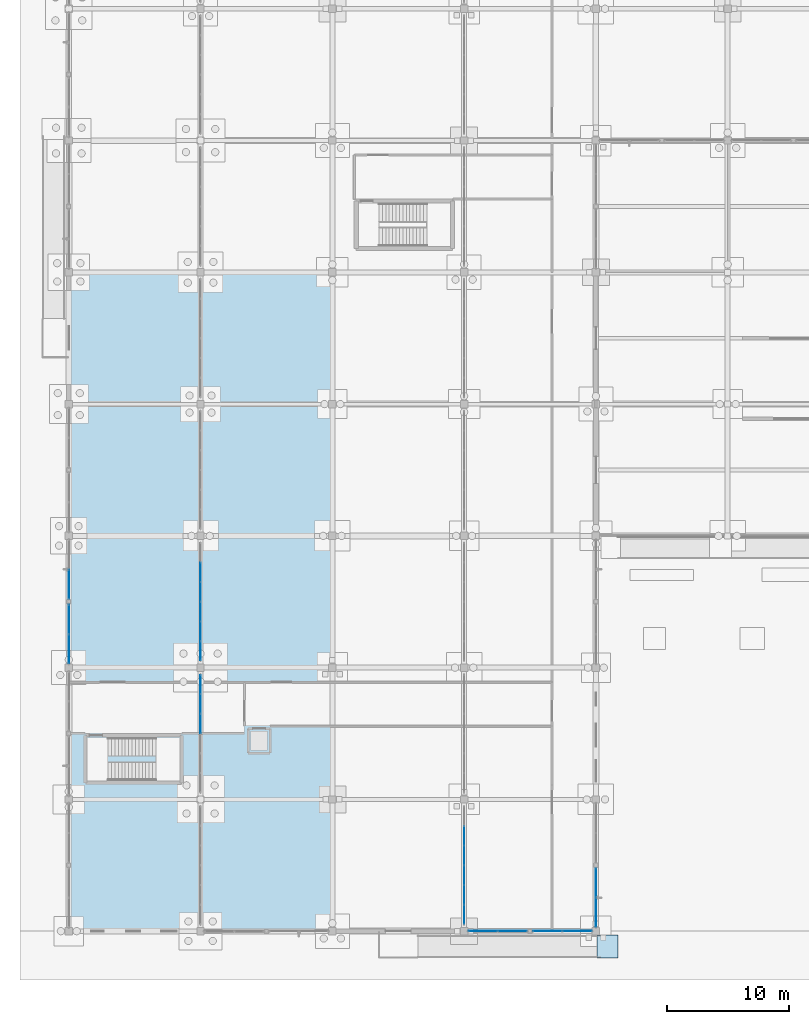
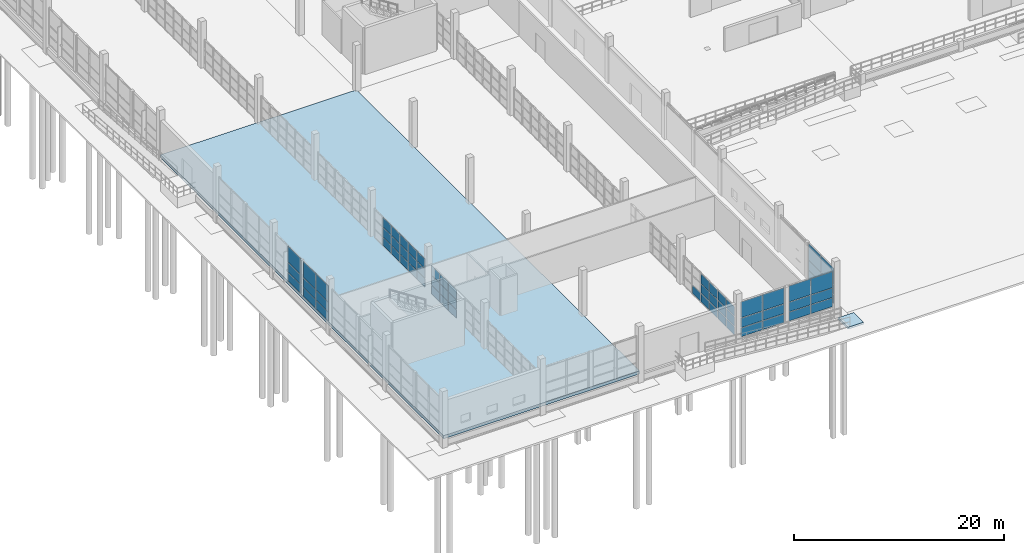
# One storey, part 80 of 138: 64 plates, 2 slabs, 8 elements without a shape of their own.
"""IFC4 building model written with IfcOpenShell, lengths in metres."""

from ifc_helpers import new_model, si_unit, direction, frame, origin, origin_2d, place, context, subcontext, project, spatial, polyline, rectangle, outline, extrude, material, layer, layer_set, type_object, element, aggregate, save


model = new_model("IFC4")

# Units and contexts
model_context = context("Model", 3, precision=1e-05, world=origin(), true_north=direction((0.0, 1.0)))
body_context = subcontext(model_context, "Body", "Model", "MODEL_VIEW")
ifc_project = project(units=[si_unit("LENGTHUNIT", "METRE"), si_unit("AREAUNIT", "SQUARE_METRE"), si_unit("VOLUMEUNIT", "CUBIC_METRE"), si_unit("PLANEANGLEUNIT", "RADIAN"), si_unit("MASSUNIT", "GRAM", prefix="KILO")], contexts=[model_context])

# Site, building, storey
site_placement = place(None, origin())
site = spatial("IfcSite", under=ifc_project, at=site_placement, CompositionType="ELEMENT")
building_placement = place(site_placement, origin())
building = spatial("IfcBuilding", under=site, at=building_placement, Name="Zwinboog Wholesale Market", CompositionType="ELEMENT")
storey_placement = place(building_placement, origin())
storey = spatial("IfcBuildingStorey", under=building, at=storey_placement, Name="L00", CompositionType="ELEMENT", Elevation=0.0)

# Slab
ifc_material_1 = material(Name="Precast concrete C45/55", Category="concrete")
ifc_layer_1 = layer(ifc_material_1, 0.35595703125)
ifc_layer_set_1 = layer_set([ifc_layer_1], Name="Precast concrete C45/55")
slab_type_1 = type_object("IfcSlabType", Name="SLT-BS-320", PredefinedType="BASESLAB", material=ifc_layer_set_1)
slab_1_placement = place(storey_placement, frame((0.0, 0.0, -0.35595703125)))
element("IfcSlab", 1, at=slab_1_placement, inside=storey, type_object=slab_type_1, Name="SB-356 (SLB-L00-001)", PredefinedType="BASESLAB", context=body_context, shape_type="SweptSolid", body=[
    extrude(outline(polyline([(0.0, 0.0), (21.60009765625, 0.0), (21.60009765625, 54.0), (0.0, 54.0), (0.0, 0.0)])), origin(), (0.0, 0.0, 1.0), 0.35595703125),
])

# Curtain wall, plates
ifc_material_2 = material(Name="Aluminium thermally broken curtain wall", Category="aluminium")
curtain_wall_type_1 = type_object("IfcCurtainWallType", Name="CWT-CAFE-22", PredefinedType="USERDEFINED", material=ifc_material_2)
curtain_wall_1_placement = place(storey_placement, origin())
curtain_wall_1 = element("IfcCurtainWall", 2, at=curtain_wall_1_placement, inside=storey, type_object=curtain_wall_type_1, Name="CW-05 (CW-L00-005)", ObjectType="STOREFRONT_GLAZING", PredefinedType="USERDEFINED")
ifc_material_3 = material(Name="Double low-e insulated glazing", Category="glass")
ifc_layer_2 = layer(ifc_material_3, 0.031982421875)
ifc_layer_set_2 = layer_set([ifc_layer_2], Name="Double low-e insulated glazing")
plate_type_1 = type_object("IfcPlateType", Name="CWP-IGU-32", PredefinedType="CURTAIN_PANEL", material=ifc_layer_set_2)
plate_1_placement = place(storey_placement, frame((0.0, 23.137451171875, 0.06494140625), z_axis=(0.0, 0.0, 1.0), x_axis=(0.0, 1.0, 0.0)))
plate_1 = element("IfcPlate", 3, at=plate_1_placement, type_object=plate_type_1, Name="CW-05 panel 1.1", PredefinedType="CURTAIN_PANEL", context=body_context, shape_type="SweptSolid", body=[
    extrude(rectangle(XDim=2.35498046875, YDim=0.031982421875, at=origin_2d()), origin(), (0.0, 0.0, 1.0), 1.00244140625),
])
plate_2_placement = place(storey_placement, frame((0.0, 23.137451171875, 1.132568359375), z_axis=(0.0, 0.0, 1.0), x_axis=(0.0, 1.0, 0.0)))
plate_2 = element("IfcPlate", 4, at=plate_2_placement, type_object=plate_type_1, Name="CW-05 panel 1.2", PredefinedType="CURTAIN_PANEL", context=body_context, shape_type="SweptSolid", body=[
    extrude(rectangle(XDim=2.35498046875, YDim=0.031982421875, at=origin_2d()), origin(), (0.0, 0.0, 1.0), 1.0849609375),
])
plate_3_placement = place(storey_placement, frame((0.0, 23.137451171875, 2.282470703125), z_axis=(0.0, 0.0, 1.0), x_axis=(0.0, 1.0, 0.0)))
plate_3 = element("IfcPlate", 5, at=plate_3_placement, type_object=plate_type_1, Name="CW-05 panel 1.3", PredefinedType="CURTAIN_PANEL", context=body_context, shape_type="SweptSolid", body=[
    extrude(rectangle(XDim=2.35498046875, YDim=0.031982421875, at=origin_2d()), origin(), (0.0, 0.0, 1.0), 1.8505859375),
])
plate_4_placement = place(storey_placement, frame((0.0, 25.5576171875, 0.06494140625), z_axis=(0.0, 0.0, 1.0), x_axis=(0.0, 1.0, 0.0)))
plate_4 = element("IfcPlate", 6, at=plate_4_placement, type_object=plate_type_1, Name="CW-05 panel 2.1", PredefinedType="CURTAIN_PANEL", context=body_context, shape_type="SweptSolid", body=[
    extrude(rectangle(XDim=2.35498046875, YDim=0.031982421875, at=origin_2d()), origin(), (0.0, 0.0, 1.0), 1.00244140625),
])
plate_5_placement = place(storey_placement, frame((0.0, 25.5576171875, 1.132568359375), z_axis=(0.0, 0.0, 1.0), x_axis=(0.0, 1.0, 0.0)))
plate_5 = element("IfcPlate", 7, at=plate_5_placement, type_object=plate_type_1, Name="CW-05 panel 2.2", PredefinedType="CURTAIN_PANEL", context=body_context, shape_type="SweptSolid", body=[
    extrude(rectangle(XDim=2.35498046875, YDim=0.031982421875, at=origin_2d()), origin(), (0.0, 0.0, 1.0), 1.0849609375),
])
plate_6_placement = place(storey_placement, frame((0.0, 25.5576171875, 2.282470703125), z_axis=(0.0, 0.0, 1.0), x_axis=(0.0, 1.0, 0.0)))
plate_6 = element("IfcPlate", 8, at=plate_6_placement, type_object=plate_type_1, Name="CW-05 panel 2.3", PredefinedType="CURTAIN_PANEL", context=body_context, shape_type="SweptSolid", body=[
    extrude(rectangle(XDim=2.35498046875, YDim=0.031982421875, at=origin_2d()), origin(), (0.0, 0.0, 1.0), 1.8505859375),
])
aggregate(curtain_wall_1, [plate_1, plate_2, plate_3, plate_4, plate_5, plate_6])

curtain_wall_type_2 = type_object("IfcCurtainWallType", Name="CWT-OFF-15", PredefinedType="USERDEFINED", material=ifc_material_2)
curtain_wall_2_placement = place(storey_placement, origin())
curtain_wall_2 = element("IfcCurtainWall", 9, at=curtain_wall_2_placement, inside=storey, type_object=curtain_wall_type_2, Name="CW-06 (CW-L00-006)", ObjectType="UNITIZED_CURTAIN_WALL", PredefinedType="USERDEFINED")
plate_7_placement = place(storey_placement, frame((0.0, 28.441162109375, 0.06005859375), z_axis=(0.0, 0.0, 1.0), x_axis=(0.0, 1.0, 0.0)))
plate_7 = element("IfcPlate", 10, at=plate_7_placement, type_object=plate_type_1, Name="CW-06 panel 1.1", PredefinedType="CURTAIN_PANEL", context=body_context, shape_type="SweptSolid", body=[
    extrude(rectangle(XDim=2.362548828125, YDim=0.031982421875, at=origin_2d()), origin(), (0.0, 0.0, 1.0), 1.010009765625),
])
plate_8_placement = place(storey_placement, frame((0.0, 28.441162109375, 1.1298828125), z_axis=(0.0, 0.0, 1.0), x_axis=(0.0, 1.0, 0.0)))
plate_8 = element("IfcPlate", 11, at=plate_8_placement, type_object=plate_type_1, Name="CW-06 panel 1.2", PredefinedType="CURTAIN_PANEL", context=body_context, shape_type="SweptSolid", body=[
    extrude(rectangle(XDim=2.362548828125, YDim=0.031982421875, at=origin_2d()), origin(), (0.0, 0.0, 1.0), 1.090087890625),
])
plate_9_placement = place(storey_placement, frame((0.0, 28.441162109375, 2.280029296875), z_axis=(0.0, 0.0, 1.0), x_axis=(0.0, 1.0, 0.0)))
plate_9 = element("IfcPlate", 12, at=plate_9_placement, type_object=plate_type_1, Name="CW-06 panel 1.3", PredefinedType="CURTAIN_PANEL", context=body_context, shape_type="SweptSolid", body=[
    extrude(rectangle(XDim=2.362548828125, YDim=0.031982421875, at=origin_2d()), origin(), (0.0, 0.0, 1.0), 1.85791015625),
])
aggregate(curtain_wall_2, [plate_7, plate_8, plate_9])

curtain_wall_type_3 = type_object("IfcCurtainWallType", Name="CWT-STALL-18", PredefinedType="USERDEFINED", material=ifc_material_2)
curtain_wall_3_placement = place(storey_placement, origin())
curtain_wall_3 = element("IfcCurtainWall", 13, at=curtain_wall_3_placement, inside=storey, type_object=curtain_wall_type_3, Name="CW-01 (CW-L00-019)", ObjectType="STOREFRONT_GLAZING", PredefinedType="USERDEFINED")
plate_10_placement = place(storey_placement, frame((33.9375, 0.0, 0.06494140625), z_axis=(0.0, 0.0, 1.0), x_axis=(1.0, 0.0, 0.0)))
plate_10 = element("IfcPlate", 14, at=plate_10_placement, type_object=plate_type_1, Name="CW-01 panel 1.1", PredefinedType="CURTAIN_PANEL", context=body_context, shape_type="SweptSolid", body=[
    extrude(rectangle(XDim=2.35498046875, YDim=0.031982421875, at=origin_2d()), origin(), (0.0, 0.0, 1.0), 1.00244140625),
])
plate_11_placement = place(storey_placement, frame((33.9375, 0.0, 1.132568359375), z_axis=(0.0, 0.0, 1.0), x_axis=(1.0, 0.0, 0.0)))
plate_11 = element("IfcPlate", 15, at=plate_11_placement, type_object=plate_type_1, Name="CW-01 panel 1.2", PredefinedType="CURTAIN_PANEL", context=body_context, shape_type="SweptSolid", body=[
    extrude(rectangle(XDim=2.35498046875, YDim=0.031982421875, at=origin_2d()), origin(), (0.0, 0.0, 1.0), 1.0849609375),
])
plate_12_placement = place(storey_placement, frame((33.9375, 0.0, 2.282470703125), z_axis=(0.0, 0.0, 1.0), x_axis=(1.0, 0.0, 0.0)))
plate_12 = element("IfcPlate", 16, at=plate_12_placement, type_object=plate_type_1, Name="CW-01 panel 1.3", PredefinedType="CURTAIN_PANEL", context=body_context, shape_type="SweptSolid", body=[
    extrude(rectangle(XDim=2.35498046875, YDim=0.031982421875, at=origin_2d()), origin(), (0.0, 0.0, 1.0), 1.8505859375),
])
plate_13_placement = place(storey_placement, frame((36.357421875, 0.0, 0.06494140625), z_axis=(0.0, 0.0, 1.0), x_axis=(1.0, 0.0, 0.0)))
plate_13 = element("IfcPlate", 17, at=plate_13_placement, type_object=plate_type_1, Name="CW-01 panel 2.1", PredefinedType="CURTAIN_PANEL", context=body_context, shape_type="SweptSolid", body=[
    extrude(rectangle(XDim=2.35498046875, YDim=0.031982421875, at=origin_2d()), origin(), (0.0, 0.0, 1.0), 1.00244140625),
])
plate_14_placement = place(storey_placement, frame((36.357421875, 0.0, 1.132568359375), z_axis=(0.0, 0.0, 1.0), x_axis=(1.0, 0.0, 0.0)))
plate_14 = element("IfcPlate", 18, at=plate_14_placement, type_object=plate_type_1, Name="CW-01 panel 2.2", PredefinedType="CURTAIN_PANEL", context=body_context, shape_type="SweptSolid", body=[
    extrude(rectangle(XDim=2.35498046875, YDim=0.031982421875, at=origin_2d()), origin(), (0.0, 0.0, 1.0), 1.0849609375),
])
plate_15_placement = place(storey_placement, frame((36.357421875, 0.0, 2.282470703125), z_axis=(0.0, 0.0, 1.0), x_axis=(1.0, 0.0, 0.0)))
plate_15 = element("IfcPlate", 19, at=plate_15_placement, type_object=plate_type_1, Name="CW-01 panel 2.3", PredefinedType="CURTAIN_PANEL", context=body_context, shape_type="SweptSolid", body=[
    extrude(rectangle(XDim=2.35498046875, YDim=0.031982421875, at=origin_2d()), origin(), (0.0, 0.0, 1.0), 1.8505859375),
])
aggregate(curtain_wall_3, [plate_10, plate_11, plate_12, plate_13, plate_14, plate_15])

curtain_wall_type_4 = type_object("IfcCurtainWallType", Name="CWT-STALL-20", PredefinedType="USERDEFINED", material=ifc_material_2)
curtain_wall_4_placement = place(storey_placement, origin())
curtain_wall_4 = element("IfcCurtainWall", 20, at=curtain_wall_4_placement, inside=storey, type_object=curtain_wall_type_4, Name="CW-02 (CW-L00-020)", ObjectType="STOREFRONT_GLAZING", PredefinedType="USERDEFINED")
plate_16_placement = place(storey_placement, frame((39.2412109375, 0.0, 0.06005859375), z_axis=(0.0, 0.0, 1.0), x_axis=(1.0, 0.0, 0.0)))
plate_16 = element("IfcPlate", 21, at=plate_16_placement, type_object=plate_type_1, Name="CW-02 panel 1.1", PredefinedType="CURTAIN_PANEL", context=body_context, shape_type="SweptSolid", body=[
    extrude(rectangle(XDim=2.362548828125, YDim=0.031982421875, at=origin_2d()), origin(), (0.0, 0.0, 1.0), 1.010009765625),
])
plate_17_placement = place(storey_placement, frame((39.2412109375, 0.0, 1.1298828125), z_axis=(0.0, 0.0, 1.0), x_axis=(1.0, 0.0, 0.0)))
plate_17 = element("IfcPlate", 22, at=plate_17_placement, type_object=plate_type_1, Name="CW-02 panel 1.2", PredefinedType="CURTAIN_PANEL", context=body_context, shape_type="SweptSolid", body=[
    extrude(rectangle(XDim=2.362548828125, YDim=0.031982421875, at=origin_2d()), origin(), (0.0, 0.0, 1.0), 1.090087890625),
])
plate_18_placement = place(storey_placement, frame((39.2412109375, 0.0, 2.280029296875), z_axis=(0.0, 0.0, 1.0), x_axis=(1.0, 0.0, 0.0)))
plate_18 = element("IfcPlate", 23, at=plate_18_placement, type_object=plate_type_1, Name="CW-02 panel 1.3", PredefinedType="CURTAIN_PANEL", context=body_context, shape_type="SweptSolid", body=[
    extrude(rectangle(XDim=2.362548828125, YDim=0.031982421875, at=origin_2d()), origin(), (0.0, 0.0, 1.0), 1.85791015625),
])
plate_19_placement = place(storey_placement, frame((41.663818359375, 0.0, 0.06005859375), z_axis=(0.0, 0.0, 1.0), x_axis=(1.0, 0.0, 0.0)))
plate_19 = element("IfcPlate", 24, at=plate_19_placement, type_object=plate_type_1, Name="CW-02 panel 2.1", PredefinedType="CURTAIN_PANEL", context=body_context, shape_type="SweptSolid", body=[
    extrude(rectangle(XDim=2.362548828125, YDim=0.031982421875, at=origin_2d()), origin(), (0.0, 0.0, 1.0), 1.010009765625),
])
plate_20_placement = place(storey_placement, frame((41.663818359375, 0.0, 1.1298828125), z_axis=(0.0, 0.0, 1.0), x_axis=(1.0, 0.0, 0.0)))
plate_20 = element("IfcPlate", 25, at=plate_20_placement, type_object=plate_type_1, Name="CW-02 panel 2.2", PredefinedType="CURTAIN_PANEL", context=body_context, shape_type="SweptSolid", body=[
    extrude(rectangle(XDim=2.362548828125, YDim=0.031982421875, at=origin_2d()), origin(), (0.0, 0.0, 1.0), 1.090087890625),
])
plate_21_placement = place(storey_placement, frame((41.663818359375, 0.0, 2.280029296875), z_axis=(0.0, 0.0, 1.0), x_axis=(1.0, 0.0, 0.0)))
plate_21 = element("IfcPlate", 26, at=plate_21_placement, type_object=plate_type_1, Name="CW-02 panel 2.3", PredefinedType="CURTAIN_PANEL", context=body_context, shape_type="SweptSolid", body=[
    extrude(rectangle(XDim=2.362548828125, YDim=0.031982421875, at=origin_2d()), origin(), (0.0, 0.0, 1.0), 1.85791015625),
])
aggregate(curtain_wall_4, [plate_16, plate_17, plate_18, plate_19, plate_20, plate_21])

curtain_wall_type_5 = type_object("IfcCurtainWallType", Name="CWT-HALL-24", PredefinedType="USERDEFINED", material=ifc_material_2)
curtain_wall_5_placement = place(storey_placement, origin())
curtain_wall_5 = element("IfcCurtainWall", 27, at=curtain_wall_5_placement, inside=storey, type_object=curtain_wall_type_5, Name="CW-03 (CW-L00-021)", ObjectType="UNITIZED_CURTAIN_WALL", PredefinedType="USERDEFINED")
plate_22_placement = place(storey_placement, frame((43.199951171875, 1.53759765625, 0.06494140625), z_axis=(0.0, 0.0, 1.0), x_axis=(0.0, 1.0, 0.0)))
plate_22 = element("IfcPlate", 28, at=plate_22_placement, type_object=plate_type_1, Name="CW-03 panel 1.1", PredefinedType="CURTAIN_PANEL", context=body_context, shape_type="SweptSolid", body=[
    extrude(rectangle(XDim=2.35498046875, YDim=0.031982421875, at=origin_2d()), origin(), (0.0, 0.0, 1.0), 1.00244140625),
])
plate_23_placement = place(storey_placement, frame((43.199951171875, 1.53759765625, 1.132568359375), z_axis=(0.0, 0.0, 1.0), x_axis=(0.0, 1.0, 0.0)))
plate_23 = element("IfcPlate", 29, at=plate_23_placement, type_object=plate_type_1, Name="CW-03 panel 1.2", PredefinedType="CURTAIN_PANEL", context=body_context, shape_type="SweptSolid", body=[
    extrude(rectangle(XDim=2.35498046875, YDim=0.031982421875, at=origin_2d()), origin(), (0.0, 0.0, 1.0), 1.0849609375),
])
plate_24_placement = place(storey_placement, frame((43.199951171875, 1.53759765625, 2.2822265625), z_axis=(0.0, 0.0, 1.0), x_axis=(0.0, 1.0, 0.0)))
plate_24 = element("IfcPlate", 30, at=plate_24_placement, type_object=plate_type_1, Name="CW-03 panel 1.3", PredefinedType="CURTAIN_PANEL", context=body_context, shape_type="SweptSolid", body=[
    extrude(rectangle(XDim=2.35498046875, YDim=0.031982421875, at=origin_2d()), origin(), (0.0, 0.0, 1.0), 1.902587890625),
])
plate_25_placement = place(storey_placement, frame((43.199951171875, 3.95751953125, 0.06494140625), z_axis=(0.0, 0.0, 1.0), x_axis=(0.0, 1.0, 0.0)))
plate_25 = element("IfcPlate", 31, at=plate_25_placement, type_object=plate_type_1, Name="CW-03 panel 2.1", PredefinedType="CURTAIN_PANEL", context=body_context, shape_type="SweptSolid", body=[
    extrude(rectangle(XDim=2.35498046875, YDim=0.031982421875, at=origin_2d()), origin(), (0.0, 0.0, 1.0), 1.00244140625),
])
plate_26_placement = place(storey_placement, frame((43.199951171875, 3.95751953125, 1.132568359375), z_axis=(0.0, 0.0, 1.0), x_axis=(0.0, 1.0, 0.0)))
plate_26 = element("IfcPlate", 32, at=plate_26_placement, type_object=plate_type_1, Name="CW-03 panel 2.2", PredefinedType="CURTAIN_PANEL", context=body_context, shape_type="SweptSolid", body=[
    extrude(rectangle(XDim=2.35498046875, YDim=0.031982421875, at=origin_2d()), origin(), (0.0, 0.0, 1.0), 1.0849609375),
])
plate_27_placement = place(storey_placement, frame((43.199951171875, 3.95751953125, 2.2822265625), z_axis=(0.0, 0.0, 1.0), x_axis=(0.0, 1.0, 0.0)))
plate_27 = element("IfcPlate", 33, at=plate_27_placement, type_object=plate_type_1, Name="CW-03 panel 2.3", PredefinedType="CURTAIN_PANEL", context=body_context, shape_type="SweptSolid", body=[
    extrude(rectangle(XDim=2.35498046875, YDim=0.031982421875, at=origin_2d()), origin(), (0.0, 0.0, 1.0), 1.902587890625),
])
aggregate(curtain_wall_5, [plate_22, plate_23, plate_24, plate_25, plate_26, plate_27])

curtain_wall_type_6 = type_object("IfcCurtainWallType", Name="CWT-INT-STALL", PredefinedType="USERDEFINED", material=ifc_material_2)
curtain_wall_6_placement = place(storey_placement, origin())
curtain_wall_6 = element("IfcCurtainWall", 34, at=curtain_wall_6_placement, inside=storey, type_object=curtain_wall_type_6, Name="CW-07 (CW-STL-210)", ObjectType="STOREFRONT_GLAZING", PredefinedType="USERDEFINED")
ifc_material_4 = material(Name="Tempered laminated market stall glazing", Category="glass")
ifc_layer_3 = layer(ifc_material_4, 0.01611328125)
ifc_layer_set_3 = layer_set([ifc_layer_3], Name="Tempered laminated market stall glazing")
plate_type_2 = type_object("IfcPlateType", Name="CWP-INT-16", PredefinedType="CURTAIN_PANEL", material=ifc_layer_set_3)
plate_28_placement = place(storey_placement, frame((10.800048828125, 17.00830078125, 0.06005859375), z_axis=(0.0, 0.0, 1.0), x_axis=(0.0, 1.0, 0.0)))
plate_28 = element("IfcPlate", 35, at=plate_28_placement, type_object=plate_type_2, Name="CW-07 panel 4.1", PredefinedType="CURTAIN_PANEL", context=body_context, shape_type="SweptSolid", body=[
    extrude(rectangle(XDim=1.556640625, YDim=0.01611328125, at=origin_2d()), origin(), (0.0, 0.0, 1.0), 0.9599609375),
])
plate_29_placement = place(storey_placement, frame((10.800048828125, 17.00830078125, 1.080078125), z_axis=(0.0, 0.0, 1.0), x_axis=(0.0, 1.0, 0.0)))
plate_29 = element("IfcPlate", 36, at=plate_29_placement, type_object=plate_type_2, Name="CW-07 panel 4.2", PredefinedType="CURTAIN_PANEL", context=body_context, shape_type="SweptSolid", body=[
    extrude(rectangle(XDim=1.556640625, YDim=0.01611328125, at=origin_2d()), origin(), (0.0, 0.0, 1.0), 1.090087890625),
])
plate_30_placement = place(storey_placement, frame((10.800048828125, 17.00830078125, 2.22998046875), z_axis=(0.0, 0.0, 1.0), x_axis=(0.0, 1.0, 0.0)))
plate_30 = element("IfcPlate", 37, at=plate_30_placement, type_object=plate_type_2, Name="CW-07 panel 4.3", PredefinedType="CURTAIN_PANEL", context=body_context, shape_type="SweptSolid", body=[
    extrude(rectangle(XDim=1.556640625, YDim=0.01611328125, at=origin_2d()), origin(), (0.0, 0.0, 1.0), 1.110107421875),
])
plate_31_placement = place(storey_placement, frame((10.800048828125, 18.625, 0.06005859375), z_axis=(0.0, 0.0, 1.0), x_axis=(0.0, 1.0, 0.0)))
plate_31 = element("IfcPlate", 38, at=plate_31_placement, type_object=plate_type_2, Name="CW-07 panel 5.1", PredefinedType="CURTAIN_PANEL", context=body_context, shape_type="SweptSolid", body=[
    extrude(rectangle(XDim=1.556640625, YDim=0.01611328125, at=origin_2d()), origin(), (0.0, 0.0, 1.0), 0.9599609375),
])
plate_32_placement = place(storey_placement, frame((10.800048828125, 18.625, 1.080078125), z_axis=(0.0, 0.0, 1.0), x_axis=(0.0, 1.0, 0.0)))
plate_32 = element("IfcPlate", 39, at=plate_32_placement, type_object=plate_type_2, Name="CW-07 panel 5.2", PredefinedType="CURTAIN_PANEL", context=body_context, shape_type="SweptSolid", body=[
    extrude(rectangle(XDim=1.556640625, YDim=0.01611328125, at=origin_2d()), origin(), (0.0, 0.0, 1.0), 1.090087890625),
])
plate_33_placement = place(storey_placement, frame((10.800048828125, 18.625, 2.22998046875), z_axis=(0.0, 0.0, 1.0), x_axis=(0.0, 1.0, 0.0)))
plate_33 = element("IfcPlate", 40, at=plate_33_placement, type_object=plate_type_2, Name="CW-07 panel 5.3", PredefinedType="CURTAIN_PANEL", context=body_context, shape_type="SweptSolid", body=[
    extrude(rectangle(XDim=1.556640625, YDim=0.01611328125, at=origin_2d()), origin(), (0.0, 0.0, 1.0), 1.110107421875),
])
plate_34_placement = place(storey_placement, frame((10.800048828125, 20.2265625, 0.06005859375), z_axis=(0.0, 0.0, 1.0), x_axis=(0.0, 1.0, 0.0)))
plate_34 = element("IfcPlate", 41, at=plate_34_placement, type_object=plate_type_2, Name="CW-07 panel 6.1", PredefinedType="CURTAIN_PANEL", context=body_context, shape_type="SweptSolid", body=[
    extrude(rectangle(XDim=1.526611328125, YDim=0.01611328125, at=origin_2d()), origin(), (0.0, 0.0, 1.0), 0.9599609375),
])
plate_35_placement = place(storey_placement, frame((10.800048828125, 20.2265625, 1.080078125), z_axis=(0.0, 0.0, 1.0), x_axis=(0.0, 1.0, 0.0)))
plate_35 = element("IfcPlate", 42, at=plate_35_placement, type_object=plate_type_2, Name="CW-07 panel 6.2", PredefinedType="CURTAIN_PANEL", context=body_context, shape_type="SweptSolid", body=[
    extrude(rectangle(XDim=1.526611328125, YDim=0.01611328125, at=origin_2d()), origin(), (0.0, 0.0, 1.0), 1.090087890625),
])
plate_36_placement = place(storey_placement, frame((10.800048828125, 20.2265625, 2.22998046875), z_axis=(0.0, 0.0, 1.0), x_axis=(0.0, 1.0, 0.0)))
plate_36 = element("IfcPlate", 43, at=plate_36_placement, type_object=plate_type_2, Name="CW-07 panel 6.3", PredefinedType="CURTAIN_PANEL", context=body_context, shape_type="SweptSolid", body=[
    extrude(rectangle(XDim=1.526611328125, YDim=0.01611328125, at=origin_2d()), origin(), (0.0, 0.0, 1.0), 1.110107421875),
])
aggregate(curtain_wall_6, [plate_28, plate_29, plate_30, plate_31, plate_32, plate_33, plate_34, plate_35, plate_36])

curtain_wall_7_placement = place(storey_placement, origin())
curtain_wall_7 = element("IfcCurtainWall", 44, at=curtain_wall_7_placement, inside=storey, type_object=curtain_wall_type_6, Name="CW-07 (CW-STL-211)", ObjectType="STOREFRONT_GLAZING", PredefinedType="USERDEFINED")
plate_37_placement = place(storey_placement, frame((10.800048828125, 22.973388671875, 0.06005859375), z_axis=(0.0, 0.0, 1.0), x_axis=(0.0, 1.0, 0.0)))
plate_37 = element("IfcPlate", 45, at=plate_37_placement, type_object=plate_type_2, Name="CW-07 panel 1.1", PredefinedType="CURTAIN_PANEL", context=body_context, shape_type="SweptSolid", body=[
    extrude(rectangle(XDim=1.526611328125, YDim=0.01611328125, at=origin_2d()), origin(), (0.0, 0.0, 1.0), 0.9599609375),
])
plate_38_placement = place(storey_placement, frame((10.800048828125, 22.973388671875, 1.080078125), z_axis=(0.0, 0.0, 1.0), x_axis=(0.0, 1.0, 0.0)))
plate_38 = element("IfcPlate", 46, at=plate_38_placement, type_object=plate_type_2, Name="CW-07 panel 1.2", PredefinedType="CURTAIN_PANEL", context=body_context, shape_type="SweptSolid", body=[
    extrude(rectangle(XDim=1.526611328125, YDim=0.01611328125, at=origin_2d()), origin(), (0.0, 0.0, 1.0), 1.090087890625),
])
plate_39_placement = place(storey_placement, frame((10.800048828125, 22.973388671875, 2.22998046875), z_axis=(0.0, 0.0, 1.0), x_axis=(0.0, 1.0, 0.0)))
plate_39 = element("IfcPlate", 47, at=plate_39_placement, type_object=plate_type_2, Name="CW-07 panel 1.3", PredefinedType="CURTAIN_PANEL", context=body_context, shape_type="SweptSolid", body=[
    extrude(rectangle(XDim=1.526611328125, YDim=0.01611328125, at=origin_2d()), origin(), (0.0, 0.0, 1.0), 1.110107421875),
])
plate_40_placement = place(storey_placement, frame((10.800048828125, 24.574951171875, 0.06005859375), z_axis=(0.0, 0.0, 1.0), x_axis=(0.0, 1.0, 0.0)))
plate_40 = element("IfcPlate", 48, at=plate_40_placement, type_object=plate_type_2, Name="CW-07 panel 2.1", PredefinedType="CURTAIN_PANEL", context=body_context, shape_type="SweptSolid", body=[
    extrude(rectangle(XDim=1.556640625, YDim=0.01611328125, at=origin_2d()), origin(), (0.0, 0.0, 1.0), 0.9599609375),
])
plate_41_placement = place(storey_placement, frame((10.800048828125, 24.574951171875, 1.080078125), z_axis=(0.0, 0.0, 1.0), x_axis=(0.0, 1.0, 0.0)))
plate_41 = element("IfcPlate", 49, at=plate_41_placement, type_object=plate_type_2, Name="CW-07 panel 2.2", PredefinedType="CURTAIN_PANEL", context=body_context, shape_type="SweptSolid", body=[
    extrude(rectangle(XDim=1.556640625, YDim=0.01611328125, at=origin_2d()), origin(), (0.0, 0.0, 1.0), 1.090087890625),
])
plate_42_placement = place(storey_placement, frame((10.800048828125, 24.574951171875, 2.22998046875), z_axis=(0.0, 0.0, 1.0), x_axis=(0.0, 1.0, 0.0)))
plate_42 = element("IfcPlate", 50, at=plate_42_placement, type_object=plate_type_2, Name="CW-07 panel 2.3", PredefinedType="CURTAIN_PANEL", context=body_context, shape_type="SweptSolid", body=[
    extrude(rectangle(XDim=1.556640625, YDim=0.01611328125, at=origin_2d()), origin(), (0.0, 0.0, 1.0), 1.110107421875),
])
plate_43_placement = place(storey_placement, frame((10.800048828125, 26.191650390625, 0.06005859375), z_axis=(0.0, 0.0, 1.0), x_axis=(0.0, 1.0, 0.0)))
plate_43 = element("IfcPlate", 51, at=plate_43_placement, type_object=plate_type_2, Name="CW-07 panel 3.1", PredefinedType="CURTAIN_PANEL", context=body_context, shape_type="SweptSolid", body=[
    extrude(rectangle(XDim=1.556640625, YDim=0.01611328125, at=origin_2d()), origin(), (0.0, 0.0, 1.0), 0.9599609375),
])
plate_44_placement = place(storey_placement, frame((10.800048828125, 26.191650390625, 1.080078125), z_axis=(0.0, 0.0, 1.0), x_axis=(0.0, 1.0, 0.0)))
plate_44 = element("IfcPlate", 52, at=plate_44_placement, type_object=plate_type_2, Name="CW-07 panel 3.2", PredefinedType="CURTAIN_PANEL", context=body_context, shape_type="SweptSolid", body=[
    extrude(rectangle(XDim=1.556640625, YDim=0.01611328125, at=origin_2d()), origin(), (0.0, 0.0, 1.0), 1.090087890625),
])
plate_45_placement = place(storey_placement, frame((10.800048828125, 26.191650390625, 2.22998046875), z_axis=(0.0, 0.0, 1.0), x_axis=(0.0, 1.0, 0.0)))
plate_45 = element("IfcPlate", 53, at=plate_45_placement, type_object=plate_type_2, Name="CW-07 panel 3.3", PredefinedType="CURTAIN_PANEL", context=body_context, shape_type="SweptSolid", body=[
    extrude(rectangle(XDim=1.556640625, YDim=0.01611328125, at=origin_2d()), origin(), (0.0, 0.0, 1.0), 1.110107421875),
])
plate_46_placement = place(storey_placement, frame((10.800048828125, 27.808349609375, 0.06005859375), z_axis=(0.0, 0.0, 1.0), x_axis=(0.0, 1.0, 0.0)))
plate_46 = element("IfcPlate", 54, at=plate_46_placement, type_object=plate_type_2, Name="CW-07 panel 4.1", PredefinedType="CURTAIN_PANEL", context=body_context, shape_type="SweptSolid", body=[
    extrude(rectangle(XDim=1.556640625, YDim=0.01611328125, at=origin_2d()), origin(), (0.0, 0.0, 1.0), 0.9599609375),
])
plate_47_placement = place(storey_placement, frame((10.800048828125, 27.808349609375, 1.080078125), z_axis=(0.0, 0.0, 1.0), x_axis=(0.0, 1.0, 0.0)))
plate_47 = element("IfcPlate", 55, at=plate_47_placement, type_object=plate_type_2, Name="CW-07 panel 4.2", PredefinedType="CURTAIN_PANEL", context=body_context, shape_type="SweptSolid", body=[
    extrude(rectangle(XDim=1.556640625, YDim=0.01611328125, at=origin_2d()), origin(), (0.0, 0.0, 1.0), 1.090087890625),
])
plate_48_placement = place(storey_placement, frame((10.800048828125, 27.808349609375, 2.22998046875), z_axis=(0.0, 0.0, 1.0), x_axis=(0.0, 1.0, 0.0)))
plate_48 = element("IfcPlate", 56, at=plate_48_placement, type_object=plate_type_2, Name="CW-07 panel 4.3", PredefinedType="CURTAIN_PANEL", context=body_context, shape_type="SweptSolid", body=[
    extrude(rectangle(XDim=1.556640625, YDim=0.01611328125, at=origin_2d()), origin(), (0.0, 0.0, 1.0), 1.110107421875),
])
plate_49_placement = place(storey_placement, frame((10.800048828125, 29.425048828125, 0.06005859375), z_axis=(0.0, 0.0, 1.0), x_axis=(0.0, 1.0, 0.0)))
plate_49 = element("IfcPlate", 57, at=plate_49_placement, type_object=plate_type_2, Name="CW-07 panel 5.1", PredefinedType="CURTAIN_PANEL", context=body_context, shape_type="SweptSolid", body=[
    extrude(rectangle(XDim=1.556640625, YDim=0.01611328125, at=origin_2d()), origin(), (0.0, 0.0, 1.0), 0.9599609375),
])
plate_50_placement = place(storey_placement, frame((10.800048828125, 29.425048828125, 1.080078125), z_axis=(0.0, 0.0, 1.0), x_axis=(0.0, 1.0, 0.0)))
plate_50 = element("IfcPlate", 58, at=plate_50_placement, type_object=plate_type_2, Name="CW-07 panel 5.2", PredefinedType="CURTAIN_PANEL", context=body_context, shape_type="SweptSolid", body=[
    extrude(rectangle(XDim=1.556640625, YDim=0.01611328125, at=origin_2d()), origin(), (0.0, 0.0, 1.0), 1.090087890625),
])
plate_51_placement = place(storey_placement, frame((10.800048828125, 29.425048828125, 2.22998046875), z_axis=(0.0, 0.0, 1.0), x_axis=(0.0, 1.0, 0.0)))
plate_51 = element("IfcPlate", 59, at=plate_51_placement, type_object=plate_type_2, Name="CW-07 panel 5.3", PredefinedType="CURTAIN_PANEL", context=body_context, shape_type="SweptSolid", body=[
    extrude(rectangle(XDim=1.556640625, YDim=0.01611328125, at=origin_2d()), origin(), (0.0, 0.0, 1.0), 1.110107421875),
])
aggregate(curtain_wall_7, [plate_37, plate_38, plate_39, plate_40, plate_41, plate_42, plate_43, plate_44, plate_45, plate_46, plate_47, plate_48, plate_49, plate_50, plate_51])

curtain_wall_8_placement = place(storey_placement, origin())
curtain_wall_8 = element("IfcCurtainWall", 60, at=curtain_wall_8_placement, inside=storey, type_object=curtain_wall_type_6, Name="CW-07 (CW-STL-217)", ObjectType="STOREFRONT_GLAZING", PredefinedType="USERDEFINED")
plate_52_placement = place(storey_placement, frame((32.39990234375, 1.373291015625, 0.06005859375), z_axis=(0.0, 0.0, 1.0), x_axis=(0.0, 1.0, 0.0)))
plate_52 = element("IfcPlate", 61, at=plate_52_placement, type_object=plate_type_2, Name="CW-07 panel 1.1", PredefinedType="CURTAIN_PANEL", context=body_context, shape_type="SweptSolid", body=[
    extrude(rectangle(XDim=1.526611328125, YDim=0.01611328125, at=origin_2d()), origin(), (0.0, 0.0, 1.0), 0.9599609375),
])
plate_53_placement = place(storey_placement, frame((32.39990234375, 1.373291015625, 1.080078125), z_axis=(0.0, 0.0, 1.0), x_axis=(0.0, 1.0, 0.0)))
plate_53 = element("IfcPlate", 62, at=plate_53_placement, type_object=plate_type_2, Name="CW-07 panel 1.2", PredefinedType="CURTAIN_PANEL", context=body_context, shape_type="SweptSolid", body=[
    extrude(rectangle(XDim=1.526611328125, YDim=0.01611328125, at=origin_2d()), origin(), (0.0, 0.0, 1.0), 1.090087890625),
])
plate_54_placement = place(storey_placement, frame((32.39990234375, 1.373291015625, 2.22998046875), z_axis=(0.0, 0.0, 1.0), x_axis=(0.0, 1.0, 0.0)))
plate_54 = element("IfcPlate", 63, at=plate_54_placement, type_object=plate_type_2, Name="CW-07 panel 1.3", PredefinedType="CURTAIN_PANEL", context=body_context, shape_type="SweptSolid", body=[
    extrude(rectangle(XDim=1.526611328125, YDim=0.01611328125, at=origin_2d()), origin(), (0.0, 0.0, 1.0), 1.110107421875),
])
plate_55_placement = place(storey_placement, frame((32.39990234375, 2.97509765625, 0.06005859375), z_axis=(0.0, 0.0, 1.0), x_axis=(0.0, 1.0, 0.0)))
plate_55 = element("IfcPlate", 64, at=plate_55_placement, type_object=plate_type_2, Name="CW-07 panel 2.1", PredefinedType="CURTAIN_PANEL", context=body_context, shape_type="SweptSolid", body=[
    extrude(rectangle(XDim=1.556640625, YDim=0.01611328125, at=origin_2d()), origin(), (0.0, 0.0, 1.0), 0.9599609375),
])
plate_56_placement = place(storey_placement, frame((32.39990234375, 2.97509765625, 1.080078125), z_axis=(0.0, 0.0, 1.0), x_axis=(0.0, 1.0, 0.0)))
plate_56 = element("IfcPlate", 65, at=plate_56_placement, type_object=plate_type_2, Name="CW-07 panel 2.2", PredefinedType="CURTAIN_PANEL", context=body_context, shape_type="SweptSolid", body=[
    extrude(rectangle(XDim=1.556640625, YDim=0.01611328125, at=origin_2d()), origin(), (0.0, 0.0, 1.0), 1.090087890625),
])
plate_57_placement = place(storey_placement, frame((32.39990234375, 2.97509765625, 2.22998046875), z_axis=(0.0, 0.0, 1.0), x_axis=(0.0, 1.0, 0.0)))
plate_57 = element("IfcPlate", 66, at=plate_57_placement, type_object=plate_type_2, Name="CW-07 panel 2.3", PredefinedType="CURTAIN_PANEL", context=body_context, shape_type="SweptSolid", body=[
    extrude(rectangle(XDim=1.556640625, YDim=0.01611328125, at=origin_2d()), origin(), (0.0, 0.0, 1.0), 1.110107421875),
])
plate_58_placement = place(storey_placement, frame((32.39990234375, 4.591552734375, 0.06005859375), z_axis=(0.0, 0.0, 1.0), x_axis=(0.0, 1.0, 0.0)))
plate_58 = element("IfcPlate", 67, at=plate_58_placement, type_object=plate_type_2, Name="CW-07 panel 3.1", PredefinedType="CURTAIN_PANEL", context=body_context, shape_type="SweptSolid", body=[
    extrude(rectangle(XDim=1.556640625, YDim=0.01611328125, at=origin_2d()), origin(), (0.0, 0.0, 1.0), 0.9599609375),
])
plate_59_placement = place(storey_placement, frame((32.39990234375, 4.591552734375, 1.080078125), z_axis=(0.0, 0.0, 1.0), x_axis=(0.0, 1.0, 0.0)))
plate_59 = element("IfcPlate", 68, at=plate_59_placement, type_object=plate_type_2, Name="CW-07 panel 3.2", PredefinedType="CURTAIN_PANEL", context=body_context, shape_type="SweptSolid", body=[
    extrude(rectangle(XDim=1.556640625, YDim=0.01611328125, at=origin_2d()), origin(), (0.0, 0.0, 1.0), 1.090087890625),
])
plate_60_placement = place(storey_placement, frame((32.39990234375, 4.591552734375, 2.22998046875), z_axis=(0.0, 0.0, 1.0), x_axis=(0.0, 1.0, 0.0)))
plate_60 = element("IfcPlate", 69, at=plate_60_placement, type_object=plate_type_2, Name="CW-07 panel 3.3", PredefinedType="CURTAIN_PANEL", context=body_context, shape_type="SweptSolid", body=[
    extrude(rectangle(XDim=1.556640625, YDim=0.01611328125, at=origin_2d()), origin(), (0.0, 0.0, 1.0), 1.110107421875),
])
plate_61_placement = place(storey_placement, frame((32.39990234375, 6.208251953125, 0.06005859375), z_axis=(0.0, 0.0, 1.0), x_axis=(0.0, 1.0, 0.0)))
plate_61 = element("IfcPlate", 70, at=plate_61_placement, type_object=plate_type_2, Name="CW-07 panel 4.1", PredefinedType="CURTAIN_PANEL", context=body_context, shape_type="SweptSolid", body=[
    extrude(rectangle(XDim=1.556640625, YDim=0.01611328125, at=origin_2d()), origin(), (0.0, 0.0, 1.0), 0.9599609375),
])
plate_62_placement = place(storey_placement, frame((32.39990234375, 6.208251953125, 1.080078125), z_axis=(0.0, 0.0, 1.0), x_axis=(0.0, 1.0, 0.0)))
plate_62 = element("IfcPlate", 71, at=plate_62_placement, type_object=plate_type_2, Name="CW-07 panel 4.2", PredefinedType="CURTAIN_PANEL", context=body_context, shape_type="SweptSolid", body=[
    extrude(rectangle(XDim=1.556640625, YDim=0.01611328125, at=origin_2d()), origin(), (0.0, 0.0, 1.0), 1.090087890625),
])
plate_63_placement = place(storey_placement, frame((32.39990234375, 6.208251953125, 2.22998046875), z_axis=(0.0, 0.0, 1.0), x_axis=(0.0, 1.0, 0.0)))
plate_63 = element("IfcPlate", 72, at=plate_63_placement, type_object=plate_type_2, Name="CW-07 panel 4.3", PredefinedType="CURTAIN_PANEL", context=body_context, shape_type="SweptSolid", body=[
    extrude(rectangle(XDim=1.556640625, YDim=0.01611328125, at=origin_2d()), origin(), (0.0, 0.0, 1.0), 1.110107421875),
])
plate_64_placement = place(storey_placement, frame((32.39990234375, 7.824951171875, 0.06005859375), z_axis=(0.0, 0.0, 1.0), x_axis=(0.0, 1.0, 0.0)))
plate_64 = element("IfcPlate", 73, at=plate_64_placement, type_object=plate_type_2, Name="CW-07 panel 5.1", PredefinedType="CURTAIN_PANEL", context=body_context, shape_type="SweptSolid", body=[
    extrude(rectangle(XDim=1.556640625, YDim=0.01611328125, at=origin_2d()), origin(), (0.0, 0.0, 1.0), 0.9599609375),
])
aggregate(curtain_wall_8, [plate_52, plate_53, plate_54, plate_55, plate_56, plate_57, plate_58, plate_59, plate_60, plate_61, plate_62, plate_63, plate_64])

# Slab
ifc_material_5 = material(Name="Concrete C40/50", Category="concrete")
ifc_layer_4 = layer(ifc_material_5, 0.219970703125)
ifc_layer_set_4 = layer_set([ifc_layer_4], Name="Concrete C40/50")
slab_type_2 = type_object("IfcSlabType", Name="SLT-LND-220", PredefinedType="LANDING", material=ifc_layer_set_4)
slab_2_placement = place(storey_placement, frame((0.0, 0.0, -1.419921875)))
element("IfcSlab", 74, at=slab_2_placement, inside=storey, type_object=slab_type_2, Name="SL-220 (SLB-STP-02-TOE)", PredefinedType="LANDING", context=body_context, shape_type="SweptSolid", body=[
    extrude(outline(polyline([(43.300048828125, -2.199951171875), (45.0, -2.199951171875), (45.0, -0.320068359375), (43.300048828125, -0.320068359375), (43.300048828125, -2.199951171875)])), origin(), (0.0, 0.0, 1.0), 0.219970703125),
])

save(model, "model.ifc")
